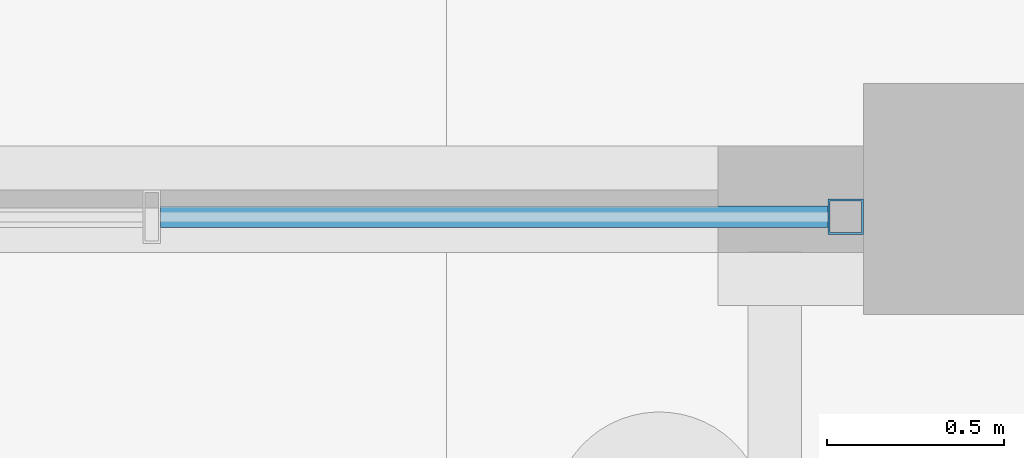
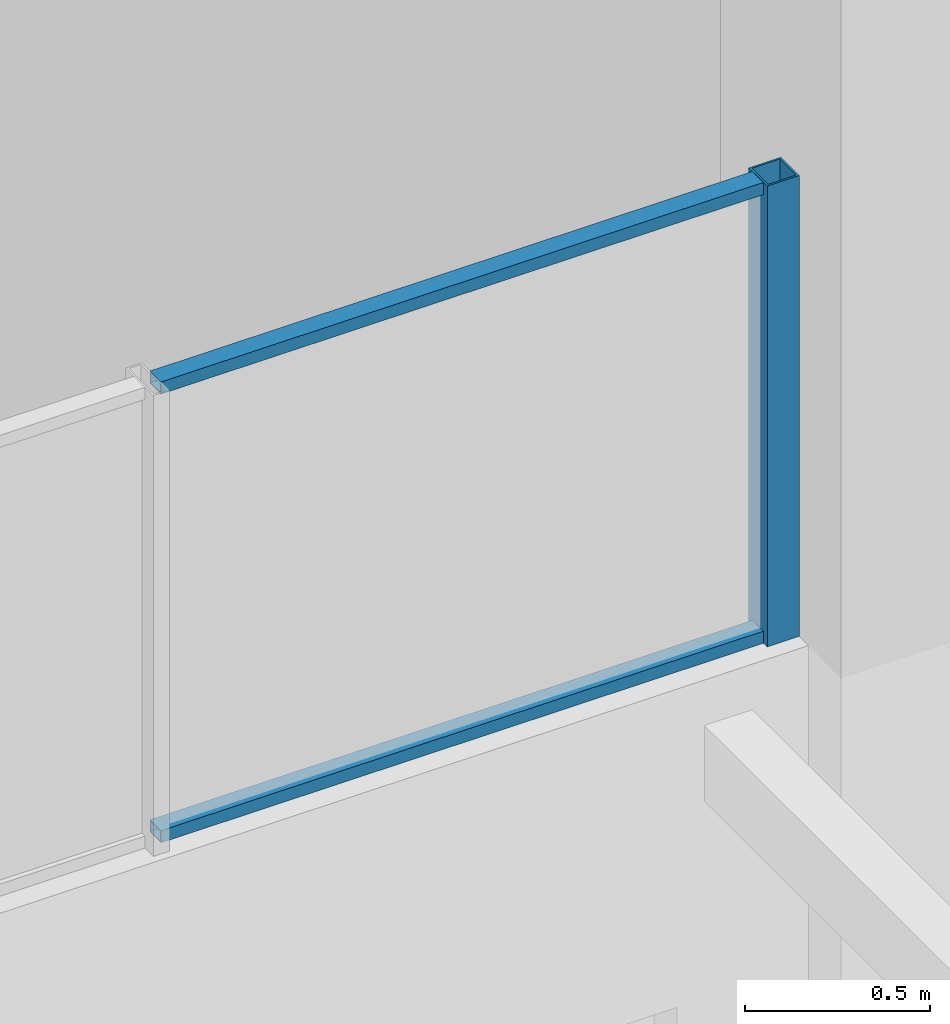
# One storey, part 52 of 129: 3 members, 1 element without a shape of its own.
"""IFC4 building model written with IfcOpenShell, lengths in metres."""

import ifcopenshell
import ifcopenshell.guid

model = None  # the IFC model being written
_history = None  # IfcOwnerHistory: only IFC2X3 demands one
_inside = {}  # id of a spatial element -> (the spatial element, [elements in it])
_under = {}  # id of a project, library or spatial element -> (it, [spatial elements below it])
_declared = {}  # id of a project -> (the project, [libraries it declares])
_typed = {}  # id of a type object -> (the type object, [elements of that type])
_made_of = {}  # id of a material, layer set ... -> (it, [elements and type objects made of it])


def new_model(schema):
    """Start an empty IFC model of exactly this schema.

    Asked for "IFC4X3", IfcOpenShell would pick the latest addendum, in which some entities
    have other attributes; the version numbers below select the first issue.
    IFC2X3 requires an IfcOwnerHistory on every rooted entity: one is made here for all.
    """
    global model, _history
    if schema == "IFC4X3":
        model = ifcopenshell.file(schema_version=(4, 3, 0, 0))
    else:
        model = ifcopenshell.file(schema=schema)
    _inside.clear()
    _under.clear()
    _declared.clear()
    _typed.clear()
    _made_of.clear()
    _history = None
    if model.schema == "IFC2X3":
        org = make("IfcOrganization", Name="unknown")
        user = make(
            "IfcPersonAndOrganization",
            ThePerson=make("IfcPerson", FamilyName="unknown"),
            TheOrganization=org,
        )
        app = make(
            "IfcApplication",
            ApplicationDeveloper=org,
            Version="unknown",
            ApplicationFullName="unknown",
            ApplicationIdentifier="unknown",
        )
        _history = make(
            "IfcOwnerHistory",
            OwningUser=user,
            OwningApplication=app,
            ChangeAction="ADDED",
            CreationDate=0,
        )
    return model


def make(cls, **values):
    """One entity of the class cls with the attributes given. An attribute that is None is left unset."""
    return model.create_entity(
        cls, **{name: value for name, value in values.items() if value is not None}
    )


def rooted(cls, **values):
    """An entity with a GlobalId (a new one), such as an element, a storey or a relation."""
    return make(cls, GlobalId=ifcopenshell.guid.new(), OwnerHistory=_history, **values)


def si_unit(unit_type, name, prefix=None):
    """IfcSIUnit, for example si_unit("LENGTHUNIT", "METRE", prefix="MILLI")."""
    return make("IfcSIUnit", UnitType=unit_type, Prefix=prefix, Name=name)


def assignment(units):
    """IfcUnitAssignment: the units of a project."""
    return None if units is None else make("IfcUnitAssignment", Units=units)


def point(xyz):
    """IfcCartesianPoint."""
    return None if xyz is None else make("IfcCartesianPoint", Coordinates=xyz)


def direction(xyz):
    """IfcDirection."""
    return None if xyz is None else make("IfcDirection", DirectionRatios=xyz)


def frame(location, z_axis=None, x_axis=None):
    """IfcAxis2Placement3D, a coordinate frame: its origin and axes. An axis left out is left unset."""
    return make(
        "IfcAxis2Placement3D",
        Location=point(location),
        Axis=direction(z_axis),
        RefDirection=direction(x_axis),
    )


def frame_2d(location, x_axis=None):
    """IfcAxis2Placement2D, a coordinate frame in the plane: its origin and x axis."""
    return make(
        "IfcAxis2Placement2D", Location=point(location), RefDirection=direction(x_axis)
    )


def origin():
    """The frame at (0, 0, 0) with its axes left unset."""
    return frame((0.0, 0.0, 0.0))


def origin_2d():
    """The frame at (0, 0) in the plane with its x axis left unset."""
    return frame_2d((0.0, 0.0))


def place(relative_to, where):
    """IfcLocalPlacement: puts the frame where relative to a parent placement (None: the world)."""
    return make(
        "IfcLocalPlacement", PlacementRelTo=relative_to, RelativePlacement=where
    )


def context(
    kind, dimensions, precision=None, world=None, true_north=None, identifier=None
):
    """IfcGeometricRepresentationContext, for example the 3D "Model" context."""
    return make(
        "IfcGeometricRepresentationContext",
        ContextIdentifier=identifier,
        ContextType=kind,
        CoordinateSpaceDimension=dimensions,
        Precision=precision,
        WorldCoordinateSystem=world,
        TrueNorth=true_north,
    )


def subcontext(parent, identifier, kind, view, scale=None):
    """IfcGeometricRepresentationSubContext, for example "Body" below "Model"."""
    return make(
        "IfcGeometricRepresentationSubContext",
        ContextIdentifier=identifier,
        ContextType=kind,
        ParentContext=parent,
        TargetScale=scale,
        TargetView=view,
    )


def project(units=None, contexts=None):
    """IfcProject with its units and contexts."""
    return rooted(
        "IfcProject",
        Name="project",
        RepresentationContexts=contexts,
        UnitsInContext=assignment(units),
    )


def spatial(cls, under=None, at=None, **own):
    """A site, building, storey or space (cls), placed at a placement, below another one or the project."""
    s = rooted(cls, ObjectPlacement=at, **own)
    if under is not None:
        _under.setdefault(under.id(), (under, []))[1].append(s)
    return s


def profile(cls, at=None, kind="AREA", **sizes):
    """A parametric profile (cls). Its sizes go by their IFC names, for example OverallWidth=200.0."""
    return make(cls, ProfileType=kind, Position=at, **sizes)


def hollow_rectangle(**sizes):
    """IfcRectangleHollowProfileDef."""
    return profile("IfcRectangleHollowProfileDef", **sizes)


def extrude(swept, where, along, depth):
    """IfcExtrudedAreaSolid: the profile swept, set in the frame where, extruded along a direction by depth."""
    return make(
        "IfcExtrudedAreaSolid",
        SweptArea=swept,
        Position=where,
        ExtrudedDirection=direction(along),
        Depth=depth,
    )


def shape(context_of_items, identifier, shape_type, items):
    """IfcShapeRepresentation: the items that make up one representation, for example the "Body"."""
    return make(
        "IfcShapeRepresentation",
        ContextOfItems=context_of_items,
        RepresentationIdentifier=identifier,
        RepresentationType=shape_type,
        Items=items,
    )


def material(Name=None, Category=None):
    """IfcMaterial."""
    return make("IfcMaterial", Name=Name, Category=Category)


def layer(
    of_material, thickness, ventilated=None, Name=None, Category=None, Priority=None
):
    """IfcMaterialLayer: one layer of a wall or slab, of a material (None: an air gap)."""
    return make(
        "IfcMaterialLayer",
        Material=of_material,
        LayerThickness=thickness,
        IsVentilated=ventilated,
        Name=Name,
        Category=Category,
        Priority=Priority,
    )


def layer_set(layers, Name=None):
    """IfcMaterialLayerSet."""
    return make("IfcMaterialLayerSet", MaterialLayers=layers, LayerSetName=Name)


def material_profile(
    of_material, cross_section, Name=None, Category=None, Priority=None
):
    """IfcMaterialProfile: a cross section and its material."""
    return make(
        "IfcMaterialProfile",
        Name=Name,
        Material=of_material,
        Profile=cross_section,
        Priority=Priority,
        Category=Category,
    )


def profile_set(profiles, Name=None, composite=None):
    """IfcMaterialProfileSet."""
    return make(
        "IfcMaterialProfileSet",
        Name=Name,
        MaterialProfiles=profiles,
        CompositeProfile=composite,
    )


def made_of(thing, what):
    """Note that an element or type object is made of a material, layer set ...; save() writes the relation."""
    if what is not None:
        _made_of.setdefault(what.id(), (what, []))[1].append(thing)
    return thing


def type_object(cls, material=None, **own):
    """A type object (cls), such as IfcWallType, which elements share."""
    return made_of(rooted(cls, **own), material)


def element(
    cls,
    number,
    at=None,
    inside=None,
    cuts=None,
    type_object=None,
    material=None,
    context=None,
    identifier="Body",
    shape_type=None,
    held_by="IfcProductDefinitionShape",
    body=None,
    shapes=None,
    **own,
):
    """One element of the class cls, such as IfcWall. Its Tag is "e" and its number.

    at: its placement. inside: the storey or other place that contains it. cuts: it is an
    opening in that element (IfcRelVoidsElement). A single representation is given by context,
    identifier, shape_type and body (its items); several are given by shapes. held_by: the class
    of the entity that holds the representations. save() writes the other relations.
    """
    e = rooted(cls, Tag="e%d" % number, ObjectPlacement=at, **own)
    if body is not None:
        shapes = [shape(context, identifier, shape_type, body)]
    if shapes is not None:
        e.Representation = make(held_by, Representations=shapes)
    if inside is not None:
        _inside.setdefault(inside.id(), (inside, []))[1].append(e)
    if cuts is not None:
        rooted(
            "IfcRelVoidsElement", RelatingBuildingElement=cuts, RelatedOpeningElement=e
        )
    if type_object is not None:
        _typed.setdefault(type_object.id(), (type_object, []))[1].append(e)
    return made_of(e, material)


def aggregate(whole, parts):
    """IfcRelAggregates: a whole, such as a stair, and the parts it consists of."""
    return rooted("IfcRelAggregates", RelatingObject=whole, RelatedObjects=parts)


def save(model, path):
    """Write the relations noted so far, then the file.

    IfcRelAggregates (storeys below a building ...), IfcRelContainedInSpatialStructure (elements
    in a storey), IfcRelDefinesByType, IfcRelAssociatesMaterial and IfcRelDeclares: one each for
    every whole, place, type object, material and project.
    """
    for whole, parts in _under.values():
        aggregate(whole, parts)
    for where, things in _inside.values():
        rooted(
            "IfcRelContainedInSpatialStructure",
            RelatedElements=things,
            RelatingStructure=where,
        )
    for kind, things in _typed.values():
        rooted("IfcRelDefinesByType", RelatedObjects=things, RelatingType=kind)
    for what, things in _made_of.values():
        rooted("IfcRelAssociatesMaterial", RelatedObjects=things, RelatingMaterial=what)
    for by, libraries in _declared.values():
        rooted("IfcRelDeclares", RelatingContext=by, RelatedDefinitions=libraries)
    model.write(path)


model = new_model("IFC4")

# Units and contexts
model_context = context("Model", 3, precision=1e-05, world=origin(), true_north=direction((0.0, 1.0)))
body_context = subcontext(model_context, "Body", "Model", "MODEL_VIEW")
ifc_project = project(units=[si_unit("LENGTHUNIT", "METRE"), si_unit("AREAUNIT", "SQUARE_METRE"), si_unit("VOLUMEUNIT", "CUBIC_METRE"), si_unit("PLANEANGLEUNIT", "RADIAN"), si_unit("MASSUNIT", "GRAM", prefix="KILO")], contexts=[model_context])

# Site, building, storey
site_placement = place(None, origin())
site = spatial("IfcSite", under=ifc_project, at=site_placement, CompositionType="ELEMENT")
building_placement = place(site_placement, origin())
building = spatial("IfcBuilding", under=site, at=building_placement, Name="Shirokan Park Arena", CompositionType="ELEMENT")
storey_placement = place(building_placement, origin())
storey = spatial("IfcBuildingStorey", under=building, at=storey_placement, Name="L00", CompositionType="ELEMENT", Elevation=0.0)

# Curtain wall, members
ifc_material_1 = material(Name="Steel and glass curtain wall", Category="steel")
ifc_layer = layer(ifc_material_1, 0.199951171875)
ifc_layer_set = layer_set([ifc_layer], Name="Steel and glass curtain wall 200 mm")
curtain_wall_type = type_object("IfcCurtainWallType", Name="Curtain wall shopfront bay 200", PredefinedType="NOTDEFINED", material=ifc_layer_set)
curtain_wall_placement = place(storey_placement, origin())
curtain_wall = element("IfcCurtainWall", 1, at=curtain_wall_placement, inside=storey, type_object=curtain_wall_type, Name="Curtain wall south bay 9 L00 clerestory 2", PredefinedType="NOTDEFINED")
ifc_material_2 = material(Name="Steel S355", Category="steel")
ifc_material_profile_1 = material_profile(ifc_material_2, hollow_rectangle(XDim=0.10009765625, YDim=0.10009765625, WallThickness=0.006103515625, at=origin_2d()), Name="RHS 100x100x6")
ifc_profile_set_1 = profile_set([ifc_material_profile_1], Name="Steel S355")
member_type_1 = type_object("IfcMemberType", Name="Mullion RHS 100x100x6", PredefinedType="MULLION", material=ifc_profile_set_1)
member_1_placement = place(storey_placement, frame((81.52490234375, -0.050048828125, 3.75), z_axis=(0.0, 0.0, 1.0), x_axis=(0.0, 1.0, 0.0)))
member_1 = element("IfcMember", 2, at=member_1_placement, type_object=member_type_1, Name="CW4 mullion 3", PredefinedType="MULLION", context=body_context, shape_type="SweptSolid", body=[
    extrude(hollow_rectangle(XDim=0.10009765625, YDim=0.10009765625, WallThickness=0.006103515625, at=origin_2d()), origin(), (0.0, 0.0, 1.0), 1.52001953125),
])
ifc_material_profile_2 = material_profile(ifc_material_2, hollow_rectangle(XDim=0.06005859375, YDim=0.0400390625, WallThickness=0.00390625, at=origin_2d()), Name="RHS 60x40x4")
ifc_profile_set_2 = profile_set([ifc_material_profile_2], Name="Steel S355")
member_type_2 = type_object("IfcMemberType", Name="Transom RHS 60x40x4", PredefinedType="MULLION", material=ifc_profile_set_2)
member_2_placement = place(storey_placement, frame((79.594970703125, -0.050048828125, 3.77001953125), z_axis=(1.0, 0.0, 0.0), x_axis=(0.0, 1.0, 0.0)))
member_2 = element("IfcMember", 3, at=member_2_placement, type_object=member_type_2, Name="CW4 transom 2.1", PredefinedType="MULLION", context=body_context, shape_type="SweptSolid", body=[
    extrude(hollow_rectangle(XDim=0.06005859375, YDim=0.0400390625, WallThickness=0.00390625, at=origin_2d()), origin(), (0.0, 0.0, 1.0), 1.880126953125),
])
member_3_placement = place(storey_placement, frame((79.594970703125, -0.050048828125, 5.25), z_axis=(1.0, 0.0, 0.0), x_axis=(0.0, 1.0, 0.0)))
member_3 = element("IfcMember", 4, at=member_3_placement, type_object=member_type_2, Name="CW4 transom 2.2", PredefinedType="MULLION", context=body_context, shape_type="SweptSolid", body=[
    extrude(hollow_rectangle(XDim=0.06005859375, YDim=0.0400390625, WallThickness=0.00390625, at=origin_2d()), origin(), (0.0, 0.0, 1.0), 1.880126953125),
])
aggregate(curtain_wall, [member_1, member_2, member_3])

save(model, "model.ifc")
